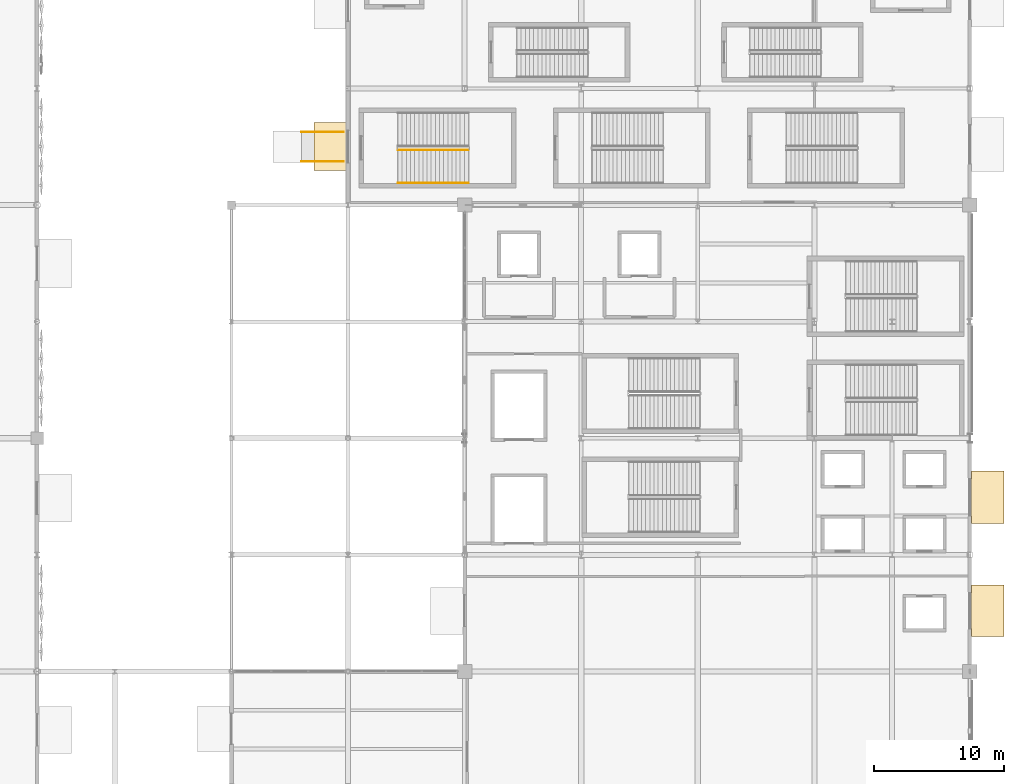
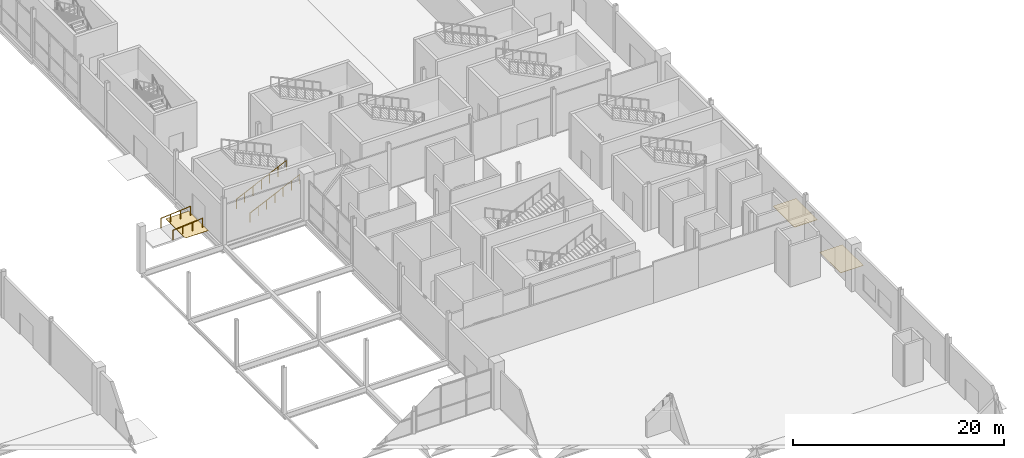
# One storey, part 88 of 94: 4 railings, 3 coverings.
"""IFC4 building model written with IfcOpenShell, lengths in metres."""

from ifc_helpers import new_model, si_unit, direction, frame, origin, origin_2d, place, context, subcontext, project, spatial, rectangle, circle, extrude, material, layer, layer_set, type_object, element, save


model = new_model("IFC4")

# Units and contexts
model_context = context("Model", 3, precision=1e-05, world=origin(), true_north=direction((0.0, 1.0)))
body_context = subcontext(model_context, "Body", "Model", "MODEL_VIEW")
ifc_project = project(units=[si_unit("LENGTHUNIT", "METRE"), si_unit("AREAUNIT", "SQUARE_METRE"), si_unit("VOLUMEUNIT", "CUBIC_METRE"), si_unit("PLANEANGLEUNIT", "RADIAN"), si_unit("MASSUNIT", "GRAM", prefix="KILO")], contexts=[model_context])

# Site, building, storey
site_placement = place(None, origin())
site = spatial("IfcSite", under=ifc_project, at=site_placement, CompositionType="ELEMENT")
building_placement = place(site_placement, origin())
building = spatial("IfcBuilding", under=site, at=building_placement, Name="Qamarlyn Nura Convention Centre", CompositionType="ELEMENT")
storey_placement = place(building_placement, origin())
storey = spatial("IfcBuildingStorey", under=building, at=storey_placement, Name="L00", CompositionType="ELEMENT", Elevation=0.0)

# Coverings
ifc_material_1 = material(Name="Polished coastal aggregate terrazzo")
ifc_layer = layer(ifc_material_1, 0.030029296875, Name="COV-FLOOR-TERR")
ifc_layer_set = layer_set([ifc_layer], Name="Polished coastal aggregate terrazzo")
covering_type = type_object("IfcCoveringType", Name="COV-FLOOR-TERR", PredefinedType="FLOORING", material=ifc_layer_set)
covering_1_placement = place(storey_placement, frame((193.389892578125, 49.675048828125, -0.02978515625), z_axis=(0.0, 0.0, 1.0), x_axis=(0.0, -1.0, 0.0)))
element("IfcCovering", 1, at=covering_1_placement, inside=storey, type_object=covering_type, Name="Exterior exit threshold apron E-38", PredefinedType="FLOORING", context=body_context, shape_type="SweptSolid", body=[
    extrude(rectangle(XDim=3.949951171875, YDim=2.5, at=origin_2d()), origin(), (0.0, 0.0, 1.0), 0.030029296875),
])
covering_2_placement = place(storey_placement, frame((193.389892578125, 58.42626953125, -0.02978515625), z_axis=(0.0, 0.0, 1.0), x_axis=(0.0, -1.0, 0.0)))
element("IfcCovering", 2, at=covering_2_placement, inside=storey, type_object=covering_type, Name="Exterior exit threshold apron E-39", PredefinedType="FLOORING", context=body_context, shape_type="SweptSolid", body=[
    extrude(rectangle(XDim=4.050048828125, YDim=2.5, at=origin_2d()), origin(), (0.0, 0.0, 1.0), 0.030029296875),
])
covering_3_placement = place(storey_placement, frame((142.610107421875, 85.505615234375, -0.02978515625), z_axis=(0.0, 0.0, 1.0), x_axis=(0.0, 1.0, 0.0)))
element("IfcCovering", 3, at=covering_3_placement, inside=storey, type_object=covering_type, Name="Exterior exit threshold apron E-51", PredefinedType="FLOORING", context=body_context, shape_type="SweptSolid", body=[
    extrude(rectangle(XDim=3.699951171875, YDim=2.5, at=origin_2d()), origin(), (0.0, 0.0, 1.0), 0.030029296875),
])

# Railings
ifc_material_2 = material(Name="Marine Grade 316 stainless steel", Category="steel")
railing_type_1 = type_object("IfcRailingType", Name="GRD-STAIR-112", PredefinedType="BALUSTRADE", material=ifc_material_2)
railing_1_placement = place(storey_placement, frame((147.860107421875, 85.260009765625, 0.14990234375)))
element("IfcRailing", 4, at=railing_1_placement, inside=storey, type_object=railing_type_1, Name="L00 ST-15 stair guard 1", PredefinedType="BALUSTRADE", context=body_context, shape_type="SweptSolid", body=[
    extrude(circle(Radius=0.02392578125, at=origin_2d()), frame((0.0, 0.0, 1.09619140625), z_axis=(0.90545405566, 0.0, 0.424444287379), x_axis=(0.0, 1.0, 0.0)), (0.0, 0.0, 1.0), 6.008056640625),
    extrude(circle(Radius=0.02099609375, at=origin_2d()), origin(), (0.0, 0.0, 1.0), 1.070068359375),
    extrude(circle(Radius=0.02099609375, at=origin_2d()), frame((0.90673828125, 0.0, 0.425048828125)), (0.0, 0.0, 1.0), 1.070068359375),
    extrude(circle(Radius=0.02099609375, at=origin_2d()), frame((1.813232421875, 0.0, 0.85009765625)), (0.0, 0.0, 1.0), 1.070068359375),
    extrude(circle(Radius=0.02099609375, at=origin_2d()), frame((2.719970703125, 0.0, 1.27490234375)), (0.0, 0.0, 1.0), 1.070068359375),
    extrude(circle(Radius=0.02099609375, at=origin_2d()), frame((3.626708984375, 0.0, 1.699951171875)), (0.0, 0.0, 1.0), 1.070068359375),
    extrude(circle(Radius=0.02099609375, at=origin_2d()), frame((4.533203125, 0.0, 2.125)), (0.0, 0.0, 1.0), 1.070068359375),
    extrude(circle(Radius=0.02099609375, at=origin_2d()), frame((5.43994140625, 0.0, 2.550048828125)), (0.0, 0.0, 1.0), 1.070068359375),
])
for number, where, name in (
    (5, (140.39990234375, 86.639892578125, -0.300048828125), "North Plenary accessible entrance ramp PR-04 side guard L"),
    (6, (140.39990234375, 84.360107421875, -0.300048828125), "North Plenary accessible entrance ramp PR-04 side guard R"),
):
    element("IfcRailing", number, at=place(storey_placement, frame(where)), inside=storey, type_object=railing_type_1, Name=name, PredefinedType="BALUSTRADE", context=body_context, shape_type="SweptSolid", body=[
        extrude(circle(Radius=0.02392578125, at=origin_2d()), frame((0.0, 0.0, 1.09619140625), z_axis=(0.996547823064, 0.0, 0.083020698301), x_axis=(0.0, 1.0, 0.0)), (0.0, 0.0, 1.0), 3.26123046875),
        extrude(circle(Radius=0.02099609375, at=origin_2d()), origin(), (0.0, 0.0, 1.0), 1.070068359375),
        extrude(circle(Radius=0.02099609375, at=origin_2d()), frame((1.083251953125, 0.0, 0.09033203125)), (0.0, 0.0, 1.0), 1.070068359375),
        extrude(circle(Radius=0.02099609375, at=origin_2d()), frame((2.166748046875, 0.0, 0.180419921875)), (0.0, 0.0, 1.0), 1.070068359375),
        extrude(circle(Radius=0.02099609375, at=origin_2d()), frame((3.25, 0.0, 0.270751953125)), (0.0, 0.0, 1.0), 1.070068359375),
    ])
railing_type_2 = type_object("IfcRailingType", Name="HRL-STAIR-090", PredefinedType="HANDRAIL", material=ifc_material_2)
railing_2_placement = place(storey_placement, frame((147.860107421875, 82.699951171875, 0.30224609375)))
element("IfcRailing", 7, at=railing_2_placement, inside=storey, type_object=railing_type_2, Name="L00 ST-15 stair handrail 1", PredefinedType="HANDRAIL", context=body_context, shape_type="SweptSolid", body=[
    extrude(circle(Radius=0.02392578125, at=origin_2d()), frame((0.0, 0.0, 0.88818359375), z_axis=(0.90545405566, 0.0, 0.424444287379), x_axis=(0.0, 1.0, 0.0)), (0.0, 0.0, 1.0), 6.008056640625),
    extrude(circle(Radius=0.02099609375, at=origin_2d()), frame((0.0, 0.0, -0.155029296875)), (0.0, 0.0, 1.0), 1.01708984375),
    extrude(circle(Radius=0.02099609375, at=origin_2d()), frame((0.90673828125, 0.0, 0.27001953125)), (0.0, 0.0, 1.0), 1.01708984375),
    extrude(circle(Radius=0.02099609375, at=origin_2d()), frame((1.813232421875, 0.0, 0.695068359375)), (0.0, 0.0, 1.0), 1.01708984375),
    extrude(circle(Radius=0.02099609375, at=origin_2d()), frame((2.719970703125, 0.0, 1.1201171875)), (0.0, 0.0, 1.0), 1.01708984375),
    extrude(circle(Radius=0.02099609375, at=origin_2d()), frame((3.626708984375, 0.0, 1.544921875)), (0.0, 0.0, 1.0), 1.01708984375),
    extrude(circle(Radius=0.02099609375, at=origin_2d()), frame((4.533203125, 0.0, 1.969970703125)), (0.0, 0.0, 1.0), 1.01708984375),
    extrude(circle(Radius=0.02099609375, at=origin_2d()), frame((5.43994140625, 0.0, 2.39501953125)), (0.0, 0.0, 1.0), 1.01708984375),
])

save(model, "model.ifc")
